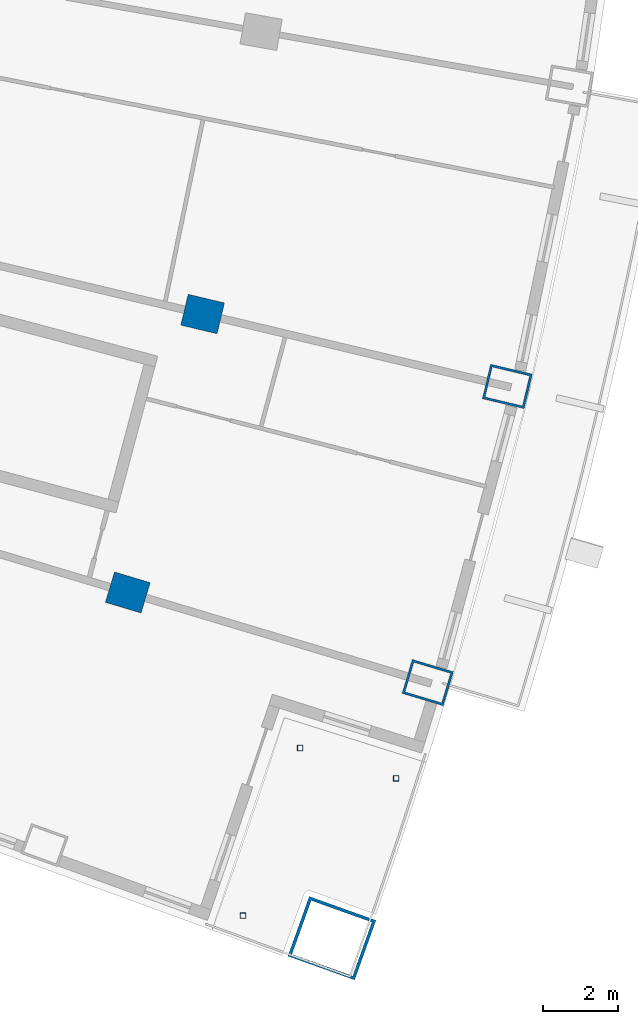
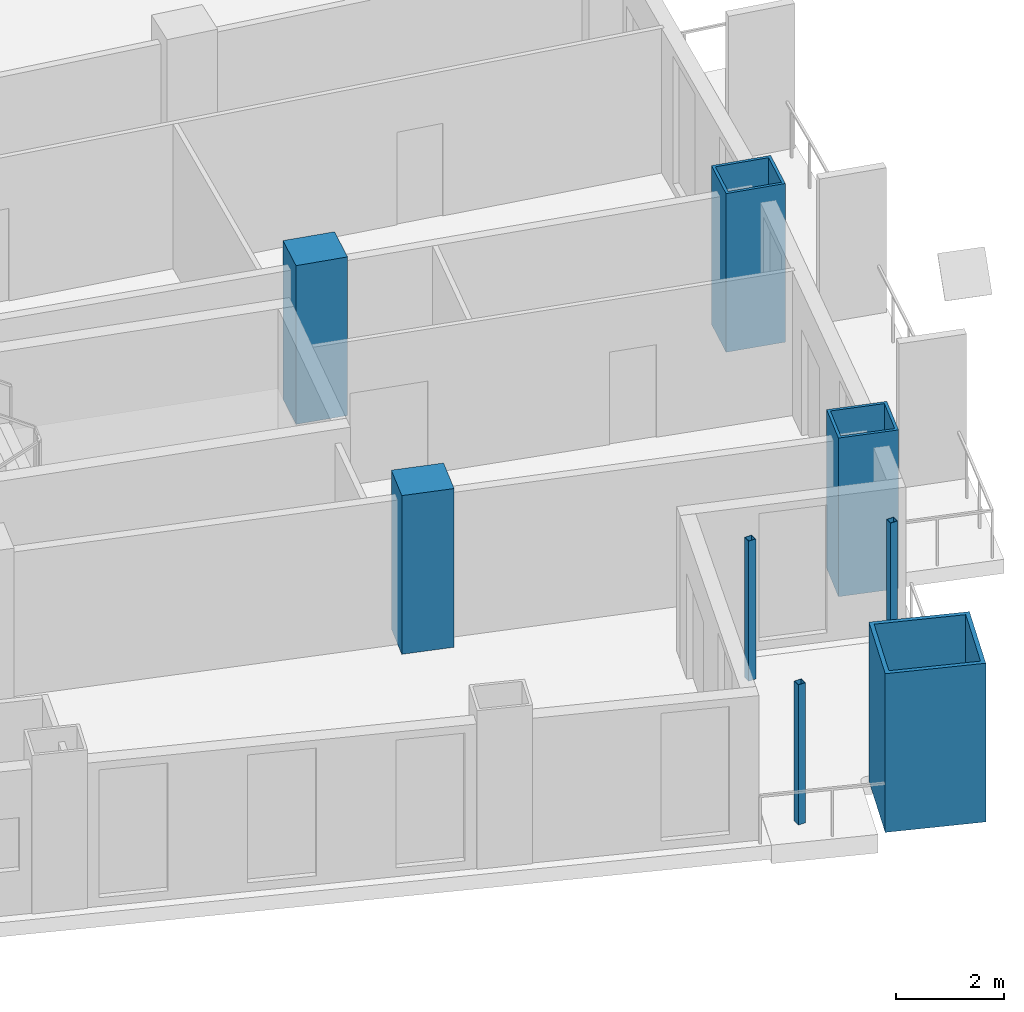
# One storey, part 5 of 25: 8 columns.
"""IFC4 building model written with IfcOpenShell, lengths in metres."""

from ifc_helpers import new_model, si_unit, direction, frame, origin, origin_2d, place, context, subcontext, project, spatial, rectangle, hollow_rectangle, extrude, material, material_profile, profile_set, type_object, element, save


model = new_model("IFC4")

# Units and contexts
model_context = context("Model", 3, precision=1e-05, world=origin(), true_north=direction((0.0, 1.0)))
body_context = subcontext(model_context, "Body", "Model", "MODEL_VIEW")
ifc_project = project(units=[si_unit("LENGTHUNIT", "METRE"), si_unit("AREAUNIT", "SQUARE_METRE"), si_unit("VOLUMEUNIT", "CUBIC_METRE"), si_unit("PLANEANGLEUNIT", "RADIAN"), si_unit("MASSUNIT", "GRAM", prefix="KILO")], contexts=[model_context])

# Site, building, storey
site_placement = place(None, origin())
site = spatial("IfcSite", under=ifc_project, at=site_placement, CompositionType="ELEMENT")
building_placement = place(site_placement, origin())
building = spatial("IfcBuilding", under=site, at=building_placement, Name="Alderwake Tower", CompositionType="ELEMENT")
storey_placement = place(building_placement, frame((0.0, 0.0, 111.199951171875)))
storey = spatial("IfcBuildingStorey", under=building, at=storey_placement, Name="L27", CompositionType="ELEMENT", Elevation=111.199951171875)

# Columns
ifc_material_1 = material(Name="Concrete C70/85", Category="concrete")
ifc_material_profile_1 = material_profile(ifc_material_1, rectangle(XDim=0.85009765625, YDim=1.0, at=origin_2d()), Name="RC 1000X850")
ifc_profile_set_1 = profile_set([ifc_material_profile_1], Name="Concrete C70/85")
column_type_1 = type_object("IfcColumnType", Name="Interior column Z2", PredefinedType="COLUMN", material=ifc_profile_set_1)
for number, where, z_axis, x_axis, name in (
    (1, (46.999755859375, 22.87109375, 0.0), (0.0, 0.0, 1.0), (0.287549418125, 0.957765802342, 0.0), "Column R02-C4"),
    (2, (49.006591796875, 30.340087890625, 0.0), (0.0, 0.0, 1.0), (0.231221547198, 0.972901123502, 0.0), "Column R03-C4"),
):
    element("IfcColumn", number, at=place(storey_placement, frame(where, z_axis=z_axis, x_axis=x_axis)), inside=storey, type_object=column_type_1, Name=name, PredefinedType="COLUMN", context=body_context, shape_type="SweptSolid", body=[
        extrude(rectangle(XDim=0.85009765625, YDim=1.0, at=origin_2d()), origin(), (0.0, 0.0, 1.0), 3.60009765625),
    ])
ifc_material_2 = material(Name="Steel ASTM A500 Grade C", Category="steel")
ifc_material_profile_2 = material_profile(ifc_material_2, hollow_rectangle(XDim=0.15234375, YDim=0.15234375, WallThickness=0.0087890625, at=origin_2d()), Name="HSS6X6X3/8")
ifc_profile_set_2 = profile_set([ifc_material_profile_2], Name="Steel ASTM A500 Grade C")
column_type_2 = type_object("IfcColumnType", Name="Light post HSS6X6X3/8", PredefinedType="COLUMN", material=ifc_profile_set_2)
for number, where, z_axis, x_axis, name in (
    (3, (54.1943359375, 17.886474609375, 0.0), (0.0, 0.0, 1.0), (1.0, 0.0, 0.0), "Terrace post FS1"),
    (4, (50.089599609375, 14.20556640625, 0.0), (0.0, 0.0, 1.0), (1.0, 0.0, 0.0), "Terrace post FS2"),
    (5, (51.619873046875, 18.700439453125, 0.0), (0.0, 0.0, 1.0), (1.0, 0.0, 0.0), "Terrace post FS3"),
):
    element("IfcColumn", number, at=place(storey_placement, frame(where, z_axis=z_axis, x_axis=x_axis)), inside=storey, type_object=column_type_2, Name=name, PredefinedType="COLUMN", context=body_context, shape_type="SweptSolid", body=[
        extrude(hollow_rectangle(XDim=0.15234375, YDim=0.15234375, WallThickness=0.0087890625, at=origin_2d()), origin(), (0.0, 0.0, 1.0), 3.179931640625),
    ])
ifc_material_3 = material(Name="Steel ASTM A572 Grade 50 concrete filled C70/85", Category="concrete")
ifc_material_profile_3 = material_profile(ifc_material_3, hollow_rectangle(XDim=1.699951171875, YDim=1.89990234375, WallThickness=0.0849609375, at=origin_2d()), Name="BOX 1900X1700X85")
ifc_profile_set_3 = profile_set([ifc_material_profile_3], Name="Steel ASTM A572 Grade 50 concrete filled C70/85")
column_type_3 = type_object("IfcColumnType", Name="Mega column Z2", PredefinedType="COLUMN", material=ifc_profile_set_3)
column_placement = place(storey_placement, frame((52.47509765625, 13.598876953125, 0.0), z_axis=(0.0, 0.0, 1.0), x_axis=(0.336894783301, 0.941542301219, 0.0)))
element("IfcColumn", 6, at=column_placement, inside=storey, type_object=column_type_3, Name="Column R01-C5", PredefinedType="COLUMN", context=body_context, shape_type="SweptSolid", body=[
    extrude(hollow_rectangle(XDim=1.699951171875, YDim=1.89990234375, WallThickness=0.0849609375, at=origin_2d()), origin(), (0.0, 0.0, 1.0), 3.60009765625),
])
ifc_material_4 = material(Name="Steel ASTM A572 Grade 50 concrete filled C70/85", Category="concrete")
ifc_material_profile_4 = material_profile(ifc_material_4, hollow_rectangle(XDim=0.949951171875, YDim=1.14990234375, WallThickness=0.06005859375, at=origin_2d()), Name="BOX 1150X950X60")
ifc_profile_set_4 = profile_set([ifc_material_profile_4], Name="Steel ASTM A572 Grade 50 concrete filled C70/85")
column_type_4 = type_object("IfcColumnType", Name="Perimeter column Z2", PredefinedType="COLUMN", material=ifc_profile_set_4)
for number, where, z_axis, x_axis, name in (
    (7, (55.044921875, 20.45556640625, 0.0), (0.0, 0.0, 1.0), (0.287549418125, 0.957765802342, 0.0), "Column R02-C5"),
    (8, (57.178955078125, 28.397705078125, 0.0), (0.0, 0.0, 1.0), (0.231221547198, 0.972901123502, 0.0), "Column R03-C5"),
):
    element("IfcColumn", number, at=place(storey_placement, frame(where, z_axis=z_axis, x_axis=x_axis)), inside=storey, type_object=column_type_4, Name=name, PredefinedType="COLUMN", context=body_context, shape_type="SweptSolid", body=[
        extrude(hollow_rectangle(XDim=0.949951171875, YDim=1.14990234375, WallThickness=0.06005859375, at=origin_2d()), origin(), (0.0, 0.0, 1.0), 3.60009765625),
    ])

save(model, "model.ifc")
